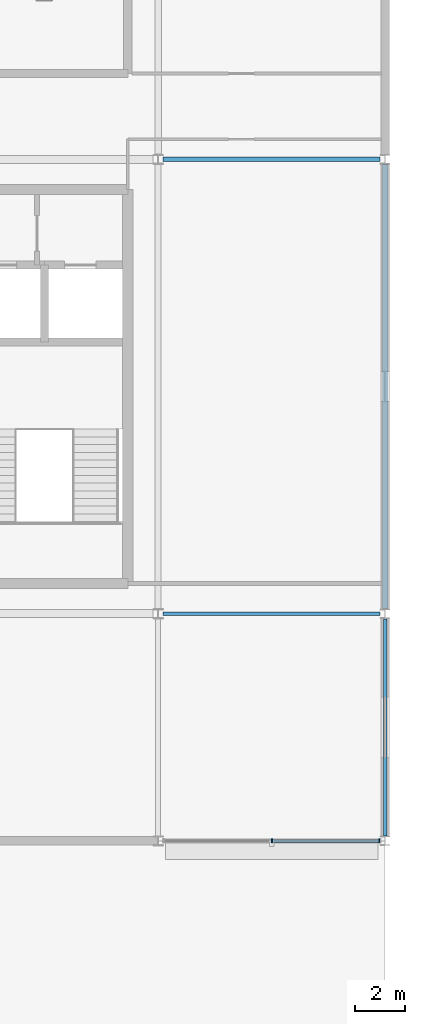
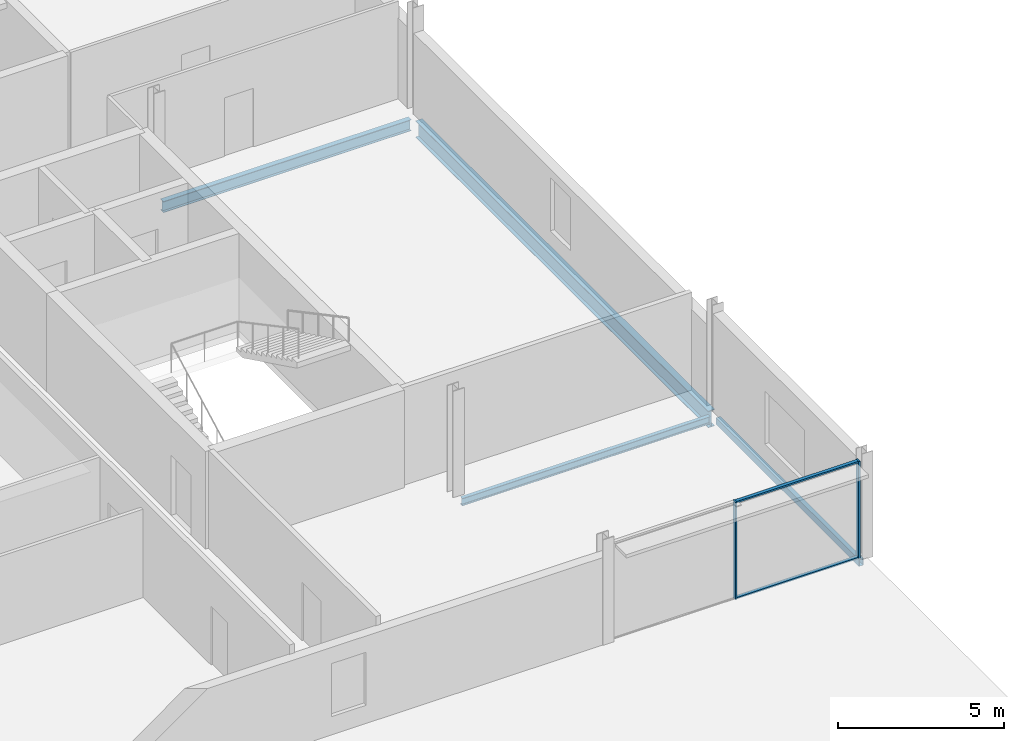
# One storey, part 48 of 105: 4 beams, 4 members, 1 element without a shape of its own.
"""IFC4 building model written with IfcOpenShell, lengths in metres."""

from ifc_helpers import new_model, si_unit, direction, frame, origin, origin_2d, place, context, subcontext, project, spatial, rectangle, hollow_rectangle, i_section, extrude, material, layer, layer_set, material_profile, profile_set, type_object, element, aggregate, save


model = new_model("IFC4")

# Units and contexts
model_context = context("Model", 3, precision=1e-05, world=origin(), true_north=direction((0.0, 1.0)))
body_context = subcontext(model_context, "Body", "Model", "MODEL_VIEW")
ifc_project = project(units=[si_unit("LENGTHUNIT", "METRE"), si_unit("AREAUNIT", "SQUARE_METRE"), si_unit("VOLUMEUNIT", "CUBIC_METRE"), si_unit("PLANEANGLEUNIT", "RADIAN"), si_unit("MASSUNIT", "GRAM", prefix="KILO")], contexts=[model_context])

# Site, building, storey
site_placement = place(None, origin())
site = spatial("IfcSite", under=ifc_project, at=site_placement, CompositionType="ELEMENT")
building_placement = place(site_placement, origin())
building = spatial("IfcBuilding", under=site, at=building_placement, Name="Kisiwana Market Hall", CompositionType="ELEMENT")
storey_placement = place(building_placement, frame((0.0, 0.0, 21.60009765625)))
storey = spatial("IfcBuildingStorey", under=building, at=storey_placement, Name="L04", CompositionType="ELEMENT", Elevation=21.60009765625)

# Beams
ifc_material_1 = material(Name="Steel S355", Category="steel")
ifc_material_profile_1 = material_profile(ifc_material_1, i_section(OverallWidth=0.22900390625, OverallDepth=0.6123046875, WebThickness=0.011962890625, FlangeThickness=0.01953125, at=origin_2d()), Name="UB 610x229x125")
ifc_profile_set_1 = profile_set([ifc_material_profile_1], Name="Steel S355")
beam_type_1 = type_object("IfcBeamType", Name="BM-GIRD-UB610H", PredefinedType="BEAM", material=ifc_profile_set_1)
beam_1_placement = place(storey_placement, frame((198.0, 18.2041015625, -0.55126953125), z_axis=(0.0, 1.0, 0.0), x_axis=(-1.0, 0.0, 0.0)))
element("IfcBeam", 1, at=beam_1_placement, inside=storey, type_object=beam_type_1, Name="Floor beam B-1512", PredefinedType="BEAM", context=body_context, shape_type="SweptSolid", body=[
    extrude(i_section(OverallWidth=0.22900390625, OverallDepth=0.6123046875, WebThickness=0.011962890625, FlangeThickness=0.01953125, at=origin_2d()), origin(), (0.0, 0.0, 1.0), 17.591796875),
])
ifc_material_2 = material(Name="Steel S355", Category="steel")
ifc_material_profile_2 = material_profile(ifc_material_2, i_section(OverallWidth=0.135009765625, OverallDepth=0.27001953125, WebThickness=0.006591796875, FlangeThickness=0.01025390625, FilletRadius=0.014892578125, at=origin_2d()), Name="IPE 270")
ifc_profile_set_2 = profile_set([ifc_material_profile_2], Name="Steel S355")
beam_type_2 = type_object("IfcBeamType", Name="BM-JOIST-IPE270", PredefinedType="JOIST", material=ifc_profile_set_2)
beam_2_placement = place(storey_placement, frame((189.198974609375, 18.0, -0.380126953125), z_axis=(1.0, 0.0, 0.0), x_axis=(0.0, 1.0, 0.0)))
element("IfcBeam", 2, at=beam_2_placement, inside=storey, type_object=beam_type_2, Name="Floor beam B-1436", PredefinedType="JOIST", context=body_context, shape_type="SweptSolid", body=[
    extrude(i_section(OverallWidth=0.135009765625, OverallDepth=0.27001953125, WebThickness=0.006591796875, FlangeThickness=0.01025390625, FilletRadius=0.014892578125, at=origin_2d()), origin(), (0.0, 0.0, 1.0), 8.60205078125),
])
ifc_material_3 = material(Name="Steel S355", Category="steel")
ifc_material_profile_3 = material_profile(ifc_material_3, i_section(OverallWidth=0.1787109375, OverallDepth=0.409423828125, WebThickness=0.0087890625, FlangeThickness=0.014404296875, at=origin_2d()), Name="UB 406x178x67")
ifc_profile_set_3 = profile_set([ifc_material_profile_3], Name="Steel S355")
beam_type_3 = type_object("IfcBeamType", Name="BM-JOIST-UB406H", PredefinedType="JOIST", material=ifc_profile_set_3)
beam_3_placement = place(storey_placement, frame((189.198974609375, 36.0, -0.44970703125), z_axis=(1.0, 0.0, 0.0), x_axis=(0.0, 1.0, 0.0)))
element("IfcBeam", 3, at=beam_3_placement, inside=storey, type_object=beam_type_3, Name="Floor beam B-1450", PredefinedType="JOIST", context=body_context, shape_type="SweptSolid", body=[
    extrude(i_section(OverallWidth=0.1787109375, OverallDepth=0.409423828125, WebThickness=0.0087890625, FlangeThickness=0.014404296875, at=origin_2d()), origin(), (0.0, 0.0, 1.0), 8.60205078125),
])
ifc_material_4 = material(Name="Steel S355", Category="steel")
ifc_material_profile_4 = material_profile(ifc_material_4, hollow_rectangle(XDim=0.14990234375, YDim=0.25, WallThickness=0.010009765625, at=origin_2d()), Name="RHS 250x150x10.0")
ifc_profile_set_4 = profile_set([ifc_material_profile_4], Name="Steel S355")
beam_type_4 = type_object("IfcBeamType", Name="BM-SPAN-RHS250", PredefinedType="SPANDREL", material=ifc_profile_set_4)
beam_4_placement = place(storey_placement, frame((198.0, 9.19287109375, -0.3701171875), z_axis=(0.0, 1.0, 0.0), x_axis=(-1.0, 0.0, 0.0)))
element("IfcBeam", 4, at=beam_4_placement, inside=storey, type_object=beam_type_4, Name="Floor beam B-1511", PredefinedType="SPANDREL", context=body_context, shape_type="SweptSolid", body=[
    extrude(hollow_rectangle(XDim=0.14990234375, YDim=0.25, WallThickness=0.010009765625, at=origin_2d()), origin(), (0.0, 0.0, 1.0), 8.60302734375),
])

# Curtain wall, members
ifc_material_5 = material(Name="Double-glazed solar-control low-E IGU", Category="glass")
ifc_layer = layer(ifc_material_5, 0.159912109375)
ifc_layer_set = layer_set([ifc_layer], Name="CW-ZNA-EW-8200")
curtain_wall_type = type_object("IfcCurtainWallType", Name="CW-ZNA-EW-8200", PredefinedType="USERDEFINED", material=ifc_layer_set)
curtain_wall_placement = place(storey_placement, origin())
curtain_wall = element("IfcCurtainWall", 5, at=curtain_wall_placement, inside=storey, type_object=curtain_wall_type, Name="Unitised curtain wall CW-091 (L04)", ObjectType="UNITISED CURTAIN WALL", PredefinedType="USERDEFINED")
ifc_material_6 = material(Name="Aluminium alloy 6063-T6", Category="aluminium")
ifc_material_profile_5 = material_profile(ifc_material_6, rectangle(XDim=0.06005859375, YDim=0.159912109375, at=origin_2d()), Name="ALU MULLION 60x160")
ifc_profile_set_5 = profile_set([ifc_material_profile_5], Name="Aluminium alloy 6063-T6")
member_type_1 = type_object("IfcMemberType", Name="CW-MULL-60x160", PredefinedType="MULLION", material=ifc_profile_set_5)
member_1_placement = place(storey_placement, frame((193.505615234375, 9.0, 0.0), z_axis=(0.0, 0.0, 1.0), x_axis=(1.0, 0.0, 0.0)))
member_1 = element("IfcMember", 6, at=member_1_placement, type_object=member_type_1, Name="CW-091 mullion 2", PredefinedType="MULLION", context=body_context, shape_type="SweptSolid", body=[
    extrude(rectangle(XDim=0.06005859375, YDim=0.159912109375, at=origin_2d()), origin(), (0.0, 0.0, 1.0), 3.5849609375),
])
member_2_placement = place(storey_placement, frame((197.78369140625, 9.0, 0.0), z_axis=(0.0, 0.0, 1.0), x_axis=(1.0, 0.0, 0.0)))
member_2 = element("IfcMember", 7, at=member_2_placement, type_object=member_type_1, Name="CW-091 mullion 3", PredefinedType="MULLION", context=body_context, shape_type="SweptSolid", body=[
    extrude(rectangle(XDim=0.06005859375, YDim=0.159912109375, at=origin_2d()), origin(), (0.0, 0.0, 1.0), 3.5849609375),
])
ifc_material_7 = material(Name="Aluminium alloy 6063-T6", Category="aluminium")
ifc_material_profile_6 = material_profile(ifc_material_7, rectangle(XDim=0.1201171875, YDim=0.06005859375, at=origin_2d()), Name="ALU TRANSOM 60x120")
ifc_profile_set_6 = profile_set([ifc_material_profile_6], Name="Aluminium alloy 6063-T6")
member_type_2 = type_object("IfcMemberType", Name="CW-TRAN-60x120", PredefinedType="USERDEFINED", material=ifc_profile_set_6)
member_3_placement = place(storey_placement, frame((193.53564453125, 9.0, 0.02978515625), z_axis=(1.0, 0.0, 0.0), x_axis=(0.0, 1.0, 0.0)))
member_3 = element("IfcMember", 8, at=member_3_placement, type_object=member_type_2, Name="CW-091 transom 2.1", ObjectType="TRANSOM", PredefinedType="USERDEFINED", context=body_context, shape_type="SweptSolid", body=[
    extrude(rectangle(XDim=0.1201171875, YDim=0.06005859375, at=origin_2d()), origin(), (0.0, 0.0, 1.0), 4.218017578125),
])
member_4_placement = place(storey_placement, frame((193.53564453125, 9.0, 3.554931640625), z_axis=(1.0, 0.0, 0.0), x_axis=(0.0, 1.0, 0.0)))
member_4 = element("IfcMember", 9, at=member_4_placement, type_object=member_type_2, Name="CW-091 transom 2.2", ObjectType="TRANSOM", PredefinedType="USERDEFINED", context=body_context, shape_type="SweptSolid", body=[
    extrude(rectangle(XDim=0.1201171875, YDim=0.06005859375, at=origin_2d()), origin(), (0.0, 0.0, 1.0), 4.218017578125),
])
aggregate(curtain_wall, [member_1, member_2, member_3, member_4])

save(model, "model.ifc")
